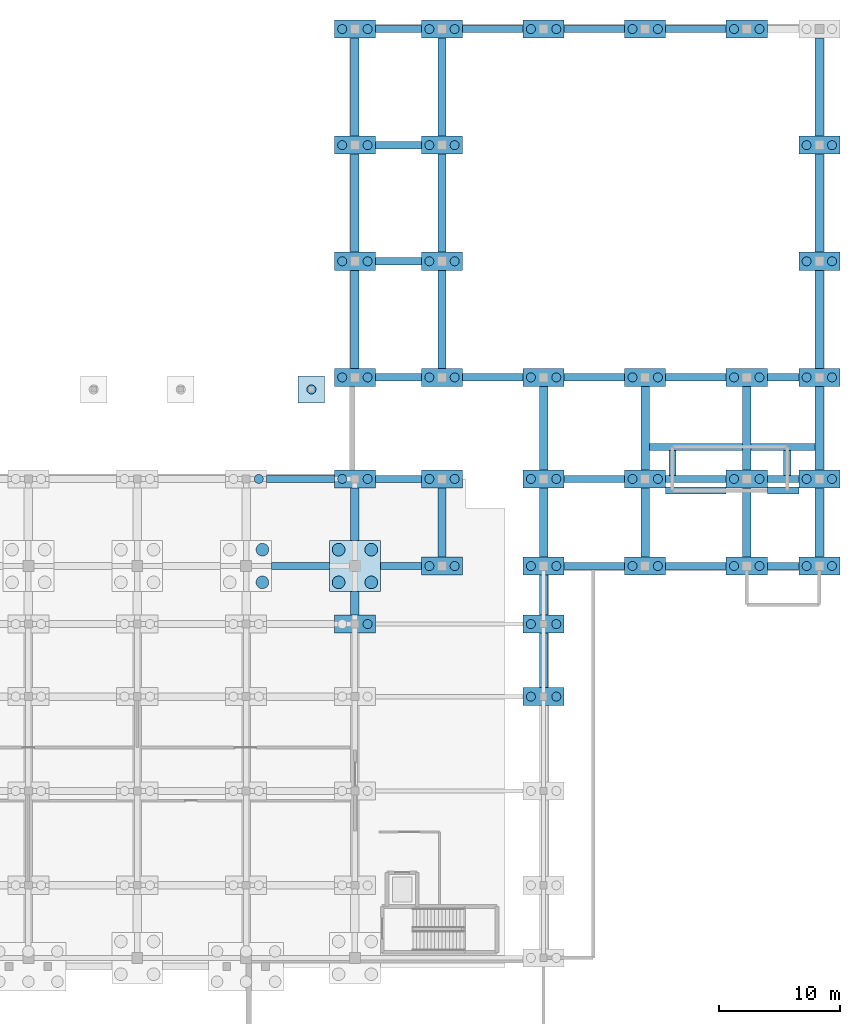
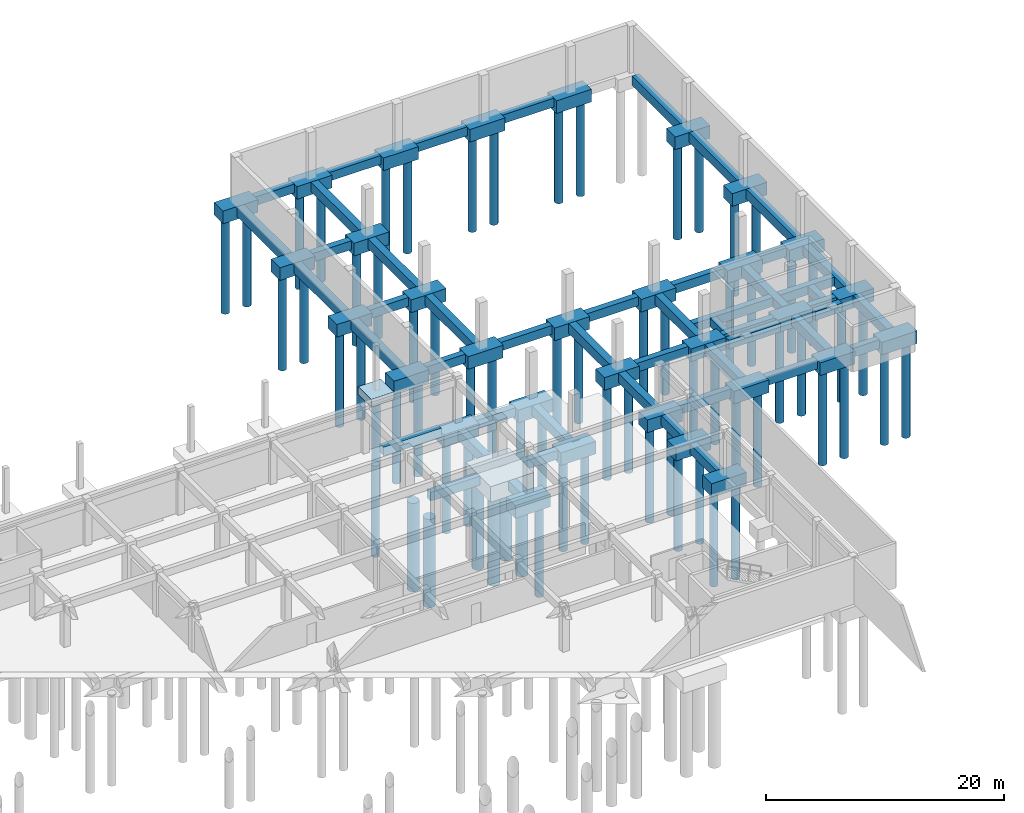
# One storey, part 8 of 26: 82 footings, 69 piles.
"""IFC4 building model written with IfcOpenShell, lengths in metres."""

import ifcopenshell
import ifcopenshell.guid

model = None  # the IFC model being written
_history = None  # IfcOwnerHistory: only IFC2X3 demands one
_inside = {}  # id of a spatial element -> (the spatial element, [elements in it])
_under = {}  # id of a project, library or spatial element -> (it, [spatial elements below it])
_declared = {}  # id of a project -> (the project, [libraries it declares])
_typed = {}  # id of a type object -> (the type object, [elements of that type])
_made_of = {}  # id of a material, layer set ... -> (it, [elements and type objects made of it])


def new_model(schema):
    """Start an empty IFC model of exactly this schema.

    Asked for "IFC4X3", IfcOpenShell would pick the latest addendum, in which some entities
    have other attributes; the version numbers below select the first issue.
    IFC2X3 requires an IfcOwnerHistory on every rooted entity: one is made here for all.
    """
    global model, _history
    if schema == "IFC4X3":
        model = ifcopenshell.file(schema_version=(4, 3, 0, 0))
    else:
        model = ifcopenshell.file(schema=schema)
    _inside.clear()
    _under.clear()
    _declared.clear()
    _typed.clear()
    _made_of.clear()
    _history = None
    if model.schema == "IFC2X3":
        org = make("IfcOrganization", Name="unknown")
        user = make(
            "IfcPersonAndOrganization",
            ThePerson=make("IfcPerson", FamilyName="unknown"),
            TheOrganization=org,
        )
        app = make(
            "IfcApplication",
            ApplicationDeveloper=org,
            Version="unknown",
            ApplicationFullName="unknown",
            ApplicationIdentifier="unknown",
        )
        _history = make(
            "IfcOwnerHistory",
            OwningUser=user,
            OwningApplication=app,
            ChangeAction="ADDED",
            CreationDate=0,
        )
    return model


def make(cls, **values):
    """One entity of the class cls with the attributes given. An attribute that is None is left unset."""
    return model.create_entity(
        cls, **{name: value for name, value in values.items() if value is not None}
    )


def rooted(cls, **values):
    """An entity with a GlobalId (a new one), such as an element, a storey or a relation."""
    return make(cls, GlobalId=ifcopenshell.guid.new(), OwnerHistory=_history, **values)


def si_unit(unit_type, name, prefix=None):
    """IfcSIUnit, for example si_unit("LENGTHUNIT", "METRE", prefix="MILLI")."""
    return make("IfcSIUnit", UnitType=unit_type, Prefix=prefix, Name=name)


def assignment(units):
    """IfcUnitAssignment: the units of a project."""
    return None if units is None else make("IfcUnitAssignment", Units=units)


def point(xyz):
    """IfcCartesianPoint."""
    return None if xyz is None else make("IfcCartesianPoint", Coordinates=xyz)


def direction(xyz):
    """IfcDirection."""
    return None if xyz is None else make("IfcDirection", DirectionRatios=xyz)


def frame(location, z_axis=None, x_axis=None):
    """IfcAxis2Placement3D, a coordinate frame: its origin and axes. An axis left out is left unset."""
    return make(
        "IfcAxis2Placement3D",
        Location=point(location),
        Axis=direction(z_axis),
        RefDirection=direction(x_axis),
    )


def frame_2d(location, x_axis=None):
    """IfcAxis2Placement2D, a coordinate frame in the plane: its origin and x axis."""
    return make(
        "IfcAxis2Placement2D", Location=point(location), RefDirection=direction(x_axis)
    )


def origin():
    """The frame at (0, 0, 0) with its axes left unset."""
    return frame((0.0, 0.0, 0.0))


def origin_2d():
    """The frame at (0, 0) in the plane with its x axis left unset."""
    return frame_2d((0.0, 0.0))


def place(relative_to, where):
    """IfcLocalPlacement: puts the frame where relative to a parent placement (None: the world)."""
    return make(
        "IfcLocalPlacement", PlacementRelTo=relative_to, RelativePlacement=where
    )


def context(
    kind, dimensions, precision=None, world=None, true_north=None, identifier=None
):
    """IfcGeometricRepresentationContext, for example the 3D "Model" context."""
    return make(
        "IfcGeometricRepresentationContext",
        ContextIdentifier=identifier,
        ContextType=kind,
        CoordinateSpaceDimension=dimensions,
        Precision=precision,
        WorldCoordinateSystem=world,
        TrueNorth=true_north,
    )


def subcontext(parent, identifier, kind, view, scale=None):
    """IfcGeometricRepresentationSubContext, for example "Body" below "Model"."""
    return make(
        "IfcGeometricRepresentationSubContext",
        ContextIdentifier=identifier,
        ContextType=kind,
        ParentContext=parent,
        TargetScale=scale,
        TargetView=view,
    )


def project(units=None, contexts=None):
    """IfcProject with its units and contexts."""
    return rooted(
        "IfcProject",
        Name="project",
        RepresentationContexts=contexts,
        UnitsInContext=assignment(units),
    )


def spatial(cls, under=None, at=None, **own):
    """A site, building, storey or space (cls), placed at a placement, below another one or the project."""
    s = rooted(cls, ObjectPlacement=at, **own)
    if under is not None:
        _under.setdefault(under.id(), (under, []))[1].append(s)
    return s


def profile(cls, at=None, kind="AREA", **sizes):
    """A parametric profile (cls). Its sizes go by their IFC names, for example OverallWidth=200.0."""
    return make(cls, ProfileType=kind, Position=at, **sizes)


def rectangle(**sizes):
    """IfcRectangleProfileDef."""
    return profile("IfcRectangleProfileDef", **sizes)


def circle(**sizes):
    """IfcCircleProfileDef."""
    return profile("IfcCircleProfileDef", **sizes)


def extrude(swept, where, along, depth):
    """IfcExtrudedAreaSolid: the profile swept, set in the frame where, extruded along a direction by depth."""
    return make(
        "IfcExtrudedAreaSolid",
        SweptArea=swept,
        Position=where,
        ExtrudedDirection=direction(along),
        Depth=depth,
    )


def shape(context_of_items, identifier, shape_type, items):
    """IfcShapeRepresentation: the items that make up one representation, for example the "Body"."""
    return make(
        "IfcShapeRepresentation",
        ContextOfItems=context_of_items,
        RepresentationIdentifier=identifier,
        RepresentationType=shape_type,
        Items=items,
    )


def material(Name=None, Category=None):
    """IfcMaterial."""
    return make("IfcMaterial", Name=Name, Category=Category)


def material_profile(
    of_material, cross_section, Name=None, Category=None, Priority=None
):
    """IfcMaterialProfile: a cross section and its material."""
    return make(
        "IfcMaterialProfile",
        Name=Name,
        Material=of_material,
        Profile=cross_section,
        Priority=Priority,
        Category=Category,
    )


def profile_set(profiles, Name=None, composite=None):
    """IfcMaterialProfileSet."""
    return make(
        "IfcMaterialProfileSet",
        Name=Name,
        MaterialProfiles=profiles,
        CompositeProfile=composite,
    )


def made_of(thing, what):
    """Note that an element or type object is made of a material, layer set ...; save() writes the relation."""
    if what is not None:
        _made_of.setdefault(what.id(), (what, []))[1].append(thing)
    return thing


def type_object(cls, material=None, **own):
    """A type object (cls), such as IfcWallType, which elements share."""
    return made_of(rooted(cls, **own), material)


def element(
    cls,
    number,
    at=None,
    inside=None,
    cuts=None,
    type_object=None,
    material=None,
    context=None,
    identifier="Body",
    shape_type=None,
    held_by="IfcProductDefinitionShape",
    body=None,
    shapes=None,
    **own,
):
    """One element of the class cls, such as IfcWall. Its Tag is "e" and its number.

    at: its placement. inside: the storey or other place that contains it. cuts: it is an
    opening in that element (IfcRelVoidsElement). A single representation is given by context,
    identifier, shape_type and body (its items); several are given by shapes. held_by: the class
    of the entity that holds the representations. save() writes the other relations.
    """
    e = rooted(cls, Tag="e%d" % number, ObjectPlacement=at, **own)
    if body is not None:
        shapes = [shape(context, identifier, shape_type, body)]
    if shapes is not None:
        e.Representation = make(held_by, Representations=shapes)
    if inside is not None:
        _inside.setdefault(inside.id(), (inside, []))[1].append(e)
    if cuts is not None:
        rooted(
            "IfcRelVoidsElement", RelatingBuildingElement=cuts, RelatedOpeningElement=e
        )
    if type_object is not None:
        _typed.setdefault(type_object.id(), (type_object, []))[1].append(e)
    return made_of(e, material)


def aggregate(whole, parts):
    """IfcRelAggregates: a whole, such as a stair, and the parts it consists of."""
    return rooted("IfcRelAggregates", RelatingObject=whole, RelatedObjects=parts)


def save(model, path):
    """Write the relations noted so far, then the file.

    IfcRelAggregates (storeys below a building ...), IfcRelContainedInSpatialStructure (elements
    in a storey), IfcRelDefinesByType, IfcRelAssociatesMaterial and IfcRelDeclares: one each for
    every whole, place, type object, material and project.
    """
    for whole, parts in _under.values():
        aggregate(whole, parts)
    for where, things in _inside.values():
        rooted(
            "IfcRelContainedInSpatialStructure",
            RelatedElements=things,
            RelatingStructure=where,
        )
    for kind, things in _typed.values():
        rooted("IfcRelDefinesByType", RelatedObjects=things, RelatingType=kind)
    for what, things in _made_of.values():
        rooted("IfcRelAssociatesMaterial", RelatedObjects=things, RelatingMaterial=what)
    for by, libraries in _declared.values():
        rooted("IfcRelDeclares", RelatingContext=by, RelatedDefinitions=libraries)
    model.write(path)


model = new_model("IFC4")

# Units and contexts
model_context = context("Model", 3, precision=1e-05, world=origin(), true_north=direction((0.0, 1.0)))
body_context = subcontext(model_context, "Body", "Model", "MODEL_VIEW")
ifc_project = project(units=[si_unit("LENGTHUNIT", "METRE"), si_unit("AREAUNIT", "SQUARE_METRE"), si_unit("VOLUMEUNIT", "CUBIC_METRE"), si_unit("PLANEANGLEUNIT", "RADIAN"), si_unit("MASSUNIT", "GRAM", prefix="KILO")], contexts=[model_context])

# Site, building, storey
site_placement = place(None, origin())
site = spatial("IfcSite", under=ifc_project, at=site_placement, CompositionType="ELEMENT")
building_placement = place(site_placement, origin())
building = spatial("IfcBuilding", under=site, at=building_placement, Name="Tizgana Railside Sports Hall", CompositionType="ELEMENT")
storey_placement = place(building_placement, frame((0.0, 0.0, -4.800048828125)))
storey = spatial("IfcBuildingStorey", under=building, at=storey_placement, Name="B1", CompositionType="ELEMENT", Elevation=-4.800048828125)

# Piles
ifc_material = material(Name="Concrete C35/45", Category="concrete")
ifc_material_profile_1 = material_profile(ifc_material, circle(Radius=0.52490234375, at=origin_2d()), Name="PILE D1050")
ifc_profile_set_1 = profile_set([ifc_material_profile_1], Name="Concrete C35/45")
pile_type_1 = type_object("IfcPileType", Name="Bored Pile D1050", PredefinedType="BORED", material=ifc_profile_set_1)
for number, where, z_axis, x_axis, name in (
    (1, (126.14990234375, 71.85009765625, -1.919921875), (0.0, 0.0, -1.0), (1.0, 0.0, 0.0), "B1 PIL-0462"),
    (2, (126.14990234375, 74.550048828125, -1.919921875), (0.0, 0.0, -1.0), (1.0, 0.0, 0.0), "B1 PIL-0464"),
    (3, (132.449951171875, 71.85009765625, -1.919921875), (0.0, 0.0, -1.0), (1.0, 0.0, 0.0), "B1 PIL-0479"),
    (4, (135.14990234375, 71.85009765625, -1.919921875), (0.0, 0.0, -1.0), (1.0, 0.0, 0.0), "B1 PIL-0480"),
    (5, (132.449951171875, 74.550048828125, -1.919921875), (0.0, 0.0, -1.0), (1.0, 0.0, 0.0), "B1 PIL-0481"),
    (6, (135.14990234375, 74.550048828125, -1.919921875), (0.0, 0.0, -1.0), (1.0, 0.0, 0.0), "B1 PIL-0482"),
):
    element("IfcPile", number, at=place(storey_placement, frame(where, z_axis=z_axis, x_axis=x_axis)), inside=storey, type_object=pile_type_1, Name=name, PredefinedType="BORED", context=body_context, shape_type="SweptSolid", body=[
        extrude(circle(Radius=0.52490234375, at=origin_2d()), origin(), (0.0, 0.0, 1.0), 9.080078125),
    ])
ifc_material_profile_2 = material_profile(ifc_material, circle(Radius=0.375, at=origin_2d()), Name="PILE D750")
ifc_profile_set_2 = profile_set([ifc_material_profile_2], Name="Concrete C35/45")
pile_type_2 = type_object("IfcPileType", Name="Bored Pile D750", PredefinedType="BORED", material=ifc_profile_set_2)
for number, where, z_axis, x_axis, name in (
    (7, (125.85009765625, 80.39990234375, -1.619873046875), (0.0, 0.0, -1.0), (1.0, 0.0, 0.0), "B1 PIL-0466"),
    (8, (134.85009765625, 68.39990234375, -1.619873046875), (0.0, 0.0, -1.0), (1.0, 0.0, 0.0), "B1 PIL-0478"),
    (9, (132.75, 80.39990234375, -1.619873046875), (0.0, 0.0, -1.0), (1.0, 0.0, 0.0), "B1 PIL-0483"),
    (10, (134.85009765625, 80.39990234375, -1.619873046875), (0.0, 0.0, -1.0), (1.0, 0.0, 0.0), "B1 PIL-0484"),
):
    element("IfcPile", number, at=place(storey_placement, frame(where, z_axis=z_axis, x_axis=x_axis)), inside=storey, type_object=pile_type_2, Name=name, PredefinedType="BORED", context=body_context, shape_type="SweptSolid", body=[
        extrude(circle(Radius=0.375, at=origin_2d()), origin(), (0.0, 0.0, 1.0), 9.3798828125),
    ])
for number, where, z_axis, x_axis, name in (
    (11, (132.75, 88.800048828125, -1.199951171875), (0.0, 0.0, -1.0), (1.0, 0.0, 0.0), "B1 PIL-0485"),
    (12, (134.85009765625, 88.800048828125, -1.199951171875), (0.0, 0.0, -1.0), (1.0, 0.0, 0.0), "B1 PIL-0486"),
    (13, (132.75, 98.39990234375, -1.199951171875), (0.0, 0.0, -1.0), (1.0, 0.0, 0.0), "B1 PIL-0487"),
    (14, (134.85009765625, 98.39990234375, -1.199951171875), (0.0, 0.0, -1.0), (1.0, 0.0, 0.0), "B1 PIL-0488"),
    (15, (132.75, 108.0, -1.199951171875), (0.0, 0.0, -1.0), (1.0, 0.0, 0.0), "B1 PIL-0489"),
    (16, (134.85009765625, 108.0, -1.199951171875), (0.0, 0.0, -1.0), (1.0, 0.0, 0.0), "B1 PIL-0490"),
    (17, (132.75, 117.60009765625, -1.199951171875), (0.0, 0.0, -1.0), (1.0, 0.0, 0.0), "B1 PIL-0491"),
    (18, (134.85009765625, 117.60009765625, -1.199951171875), (0.0, 0.0, -1.0), (1.0, 0.0, 0.0), "B1 PIL-0492"),
):
    element("IfcPile", number, at=place(storey_placement, frame(where, z_axis=z_axis, x_axis=x_axis)), inside=storey, type_object=pile_type_2, Name=name, PredefinedType="BORED", context=body_context, shape_type="SweptSolid", body=[
        extrude(circle(Radius=0.375, at=origin_2d()), origin(), (0.0, 0.0, 1.0), 9.800048828125),
    ])
for number, where, z_axis, x_axis, name in (
    (19, (139.949951171875, 73.199951171875, -1.619873046875), (0.0, 0.0, -1.0), (1.0, 0.0, 0.0), "B1 PIL-0493"),
    (20, (142.050048828125, 73.199951171875, -1.619873046875), (0.0, 0.0, -1.0), (1.0, 0.0, 0.0), "B1 PIL-0494"),
    (21, (139.949951171875, 80.39990234375, -1.619873046875), (0.0, 0.0, -1.0), (1.0, 0.0, 0.0), "B1 PIL-0495"),
    (22, (142.050048828125, 80.39990234375, -1.619873046875), (0.0, 0.0, -1.0), (1.0, 0.0, 0.0), "B1 PIL-0496"),
):
    element("IfcPile", number, at=place(storey_placement, frame(where, z_axis=z_axis, x_axis=x_axis)), inside=storey, type_object=pile_type_2, Name=name, PredefinedType="BORED", context=body_context, shape_type="SweptSolid", body=[
        extrude(circle(Radius=0.375, at=origin_2d()), origin(), (0.0, 0.0, 1.0), 9.3798828125),
    ])
for number, where, z_axis, x_axis, name in (
    (23, (139.949951171875, 88.800048828125, -1.199951171875), (0.0, 0.0, -1.0), (1.0, 0.0, 0.0), "B1 PIL-0497"),
    (24, (142.050048828125, 88.800048828125, -1.199951171875), (0.0, 0.0, -1.0), (1.0, 0.0, 0.0), "B1 PIL-0498"),
    (25, (139.949951171875, 98.39990234375, -1.199951171875), (0.0, 0.0, -1.0), (1.0, 0.0, 0.0), "B1 PIL-0499"),
    (26, (142.050048828125, 98.39990234375, -1.199951171875), (0.0, 0.0, -1.0), (1.0, 0.0, 0.0), "B1 PIL-0500"),
    (27, (139.949951171875, 108.0, -1.199951171875), (0.0, 0.0, -1.0), (1.0, 0.0, 0.0), "B1 PIL-0501"),
    (28, (142.050048828125, 108.0, -1.199951171875), (0.0, 0.0, -1.0), (1.0, 0.0, 0.0), "B1 PIL-0502"),
    (29, (139.949951171875, 117.60009765625, -1.199951171875), (0.0, 0.0, -1.0), (1.0, 0.0, 0.0), "B1 PIL-0503"),
    (30, (142.050048828125, 117.60009765625, -1.199951171875), (0.0, 0.0, -1.0), (1.0, 0.0, 0.0), "B1 PIL-0504"),
    (31, (148.35009765625, 62.39990234375, -1.199951171875), (0.0, 0.0, -1.0), (1.0, 0.0, 0.0), "B1 PIL-0511"),
    (32, (150.449951171875, 62.39990234375, -1.199951171875), (0.0, 0.0, -1.0), (1.0, 0.0, 0.0), "B1 PIL-0512"),
    (33, (148.35009765625, 68.39990234375, -1.199951171875), (0.0, 0.0, -1.0), (1.0, 0.0, 0.0), "B1 PIL-0513"),
    (34, (150.449951171875, 68.39990234375, -1.199951171875), (0.0, 0.0, -1.0), (1.0, 0.0, 0.0), "B1 PIL-0514"),
    (35, (148.35009765625, 73.199951171875, -1.199951171875), (0.0, 0.0, -1.0), (1.0, 0.0, 0.0), "B1 PIL-0515"),
    (36, (150.449951171875, 73.199951171875, -1.199951171875), (0.0, 0.0, -1.0), (1.0, 0.0, 0.0), "B1 PIL-0516"),
    (37, (148.35009765625, 80.39990234375, -1.199951171875), (0.0, 0.0, -1.0), (1.0, 0.0, 0.0), "B1 PIL-0517"),
    (38, (150.449951171875, 80.39990234375, -1.199951171875), (0.0, 0.0, -1.0), (1.0, 0.0, 0.0), "B1 PIL-0518"),
    (39, (148.35009765625, 88.800048828125, -1.199951171875), (0.0, 0.0, -1.0), (1.0, 0.0, 0.0), "B1 PIL-0519"),
    (40, (150.449951171875, 88.800048828125, -1.199951171875), (0.0, 0.0, -1.0), (1.0, 0.0, 0.0), "B1 PIL-0520"),
    (41, (148.35009765625, 117.60009765625, -1.199951171875), (0.0, 0.0, -1.0), (1.0, 0.0, 0.0), "B1 PIL-0521"),
    (42, (150.449951171875, 117.60009765625, -1.199951171875), (0.0, 0.0, -1.0), (1.0, 0.0, 0.0), "B1 PIL-0522"),
    (43, (156.75, 73.199951171875, -1.199951171875), (0.0, 0.0, -1.0), (1.0, 0.0, 0.0), "B1 PIL-0523"),
    (44, (158.85009765625, 73.199951171875, -1.199951171875), (0.0, 0.0, -1.0), (1.0, 0.0, 0.0), "B1 PIL-0524"),
    (45, (156.75, 80.39990234375, -1.199951171875), (0.0, 0.0, -1.0), (1.0, 0.0, 0.0), "B1 PIL-0525"),
    (46, (158.85009765625, 80.39990234375, -1.199951171875), (0.0, 0.0, -1.0), (1.0, 0.0, 0.0), "B1 PIL-0526"),
    (47, (156.75, 88.800048828125, -1.199951171875), (0.0, 0.0, -1.0), (1.0, 0.0, 0.0), "B1 PIL-0527"),
    (48, (158.85009765625, 88.800048828125, -1.199951171875), (0.0, 0.0, -1.0), (1.0, 0.0, 0.0), "B1 PIL-0528"),
    (49, (156.75, 117.60009765625, -1.199951171875), (0.0, 0.0, -1.0), (1.0, 0.0, 0.0), "B1 PIL-0529"),
    (50, (158.85009765625, 117.60009765625, -1.199951171875), (0.0, 0.0, -1.0), (1.0, 0.0, 0.0), "B1 PIL-0530"),
    (51, (165.14990234375, 73.199951171875, -1.199951171875), (0.0, 0.0, -1.0), (1.0, 0.0, 0.0), "B1 PIL-0531"),
    (52, (167.25, 73.199951171875, -1.199951171875), (0.0, 0.0, -1.0), (1.0, 0.0, 0.0), "B1 PIL-0532"),
    (53, (165.14990234375, 80.39990234375, -1.199951171875), (0.0, 0.0, -1.0), (1.0, 0.0, 0.0), "B1 PIL-0533"),
    (54, (167.25, 80.39990234375, -1.199951171875), (0.0, 0.0, -1.0), (1.0, 0.0, 0.0), "B1 PIL-0534"),
    (55, (165.14990234375, 88.800048828125, -1.199951171875), (0.0, 0.0, -1.0), (1.0, 0.0, 0.0), "B1 PIL-0535"),
    (56, (167.25, 88.800048828125, -1.199951171875), (0.0, 0.0, -1.0), (1.0, 0.0, 0.0), "B1 PIL-0536"),
    (57, (165.14990234375, 117.60009765625, -1.199951171875), (0.0, 0.0, -1.0), (1.0, 0.0, 0.0), "B1 PIL-0537"),
    (58, (167.25, 117.60009765625, -1.199951171875), (0.0, 0.0, -1.0), (1.0, 0.0, 0.0), "B1 PIL-0538"),
    (59, (171.14990234375, 73.199951171875, -1.199951171875), (0.0, 0.0, -1.0), (1.0, 0.0, 0.0), "B1 PIL-0539"),
    (60, (173.25, 73.199951171875, -1.199951171875), (0.0, 0.0, -1.0), (1.0, 0.0, 0.0), "B1 PIL-0540"),
    (61, (171.14990234375, 80.39990234375, -1.199951171875), (0.0, 0.0, -1.0), (1.0, 0.0, 0.0), "B1 PIL-0541"),
    (62, (173.25, 80.39990234375, -1.199951171875), (0.0, 0.0, -1.0), (1.0, 0.0, 0.0), "B1 PIL-0542"),
    (63, (171.14990234375, 88.800048828125, -1.199951171875), (0.0, 0.0, -1.0), (1.0, 0.0, 0.0), "B1 PIL-0543"),
    (64, (173.25, 88.800048828125, -1.199951171875), (0.0, 0.0, -1.0), (1.0, 0.0, 0.0), "B1 PIL-0544"),
    (65, (171.14990234375, 98.39990234375, -1.199951171875), (0.0, 0.0, -1.0), (1.0, 0.0, 0.0), "B1 PIL-0545"),
    (66, (173.25, 98.39990234375, -1.199951171875), (0.0, 0.0, -1.0), (1.0, 0.0, 0.0), "B1 PIL-0546"),
    (67, (171.14990234375, 108.0, -1.199951171875), (0.0, 0.0, -1.0), (1.0, 0.0, 0.0), "B1 PIL-0547"),
    (68, (173.25, 108.0, -1.199951171875), (0.0, 0.0, -1.0), (1.0, 0.0, 0.0), "B1 PIL-0548"),
):
    element("IfcPile", number, at=place(storey_placement, frame(where, z_axis=z_axis, x_axis=x_axis)), inside=storey, type_object=pile_type_2, Name=name, PredefinedType="BORED", context=body_context, shape_type="SweptSolid", body=[
        extrude(circle(Radius=0.375, at=origin_2d()), origin(), (0.0, 0.0, 1.0), 9.800048828125),
    ])
pile_placement = place(storey_placement, frame((130.199951171875, 87.800048828125, -0.699951171875), z_axis=(0.0, 0.0, -1.0), x_axis=(1.0, 0.0, 0.0)))
element("IfcPile", 69, at=pile_placement, inside=storey, type_object=pile_type_2, Name="B1 Promenade Pile", PredefinedType="BORED", context=body_context, shape_type="SweptSolid", body=[
    extrude(circle(Radius=0.375, at=origin_2d()), origin(), (0.0, 0.0, 1.0), 10.300048828125),
])

# Footings
footing_type_1 = type_object("IfcFootingType", Name="Canopy Pad Footing 2200x2200x800", PredefinedType="PAD_FOOTING", material=ifc_material)
footing_1_placement = place(storey_placement, frame((130.199951171875, 87.800048828125, -0.7998046875), z_axis=(0.0, 0.0, 1.0), x_axis=(1.0, 0.0, 0.0)))
element("IfcFooting", 70, at=footing_1_placement, inside=storey, type_object=footing_type_1, Name="B1 Promenade Pier Footing", PredefinedType="PAD_FOOTING", context=body_context, shape_type="SweptSolid", body=[
    extrude(rectangle(XDim=2.199951171875, YDim=2.199951171875, at=origin_2d()), origin(), (0.0, 0.0, 1.0), 0.800048828125),
])
footing_type_2 = type_object("IfcFootingType", Name="Ground Tie Beam 600x900", PredefinedType="FOOTING_BEAM", material=ifc_material)
footing_2_placement = place(storey_placement, frame((129.300048828125, 73.199951171875, -1.31982421875), z_axis=(0.0, 0.0, 1.0), x_axis=(1.0, 0.0, 0.0)))
element("IfcFooting", 71, at=footing_2_placement, inside=storey, type_object=footing_type_2, Name="B1 FTG-0392", PredefinedType="FOOTING_BEAM", context=body_context, shape_type="SweptSolid", body=[
    extrude(rectangle(XDim=4.803955078125, YDim=0.60009765625, at=origin_2d()), origin(), (0.0, 0.0, 1.0), 0.89990234375),
])
footing_3_placement = place(storey_placement, frame((137.60009765625, 73.199951171875, -1.31982421875), z_axis=(0.0, 0.0, 1.0), x_axis=(1.0, 0.0, 0.0)))
element("IfcFooting", 72, at=footing_3_placement, inside=storey, type_object=footing_type_2, Name="B1 FTG-0393", PredefinedType="FOOTING_BEAM", context=body_context, shape_type="SweptSolid", body=[
    extrude(rectangle(XDim=3.404052734375, YDim=0.60009765625, at=origin_2d()), origin(), (0.0, 0.0, 1.0), 0.89990234375),
])
for number, where, z_axis, x_axis, name in (
    (73, (153.60009765625, 73.199951171875, -0.89990234375), (0.0, 0.0, 1.0), (1.0, 0.0, 0.0), "B1 FTG-0394"),
    (74, (162.0, 73.199951171875, -0.89990234375), (0.0, 0.0, 1.0), (1.0, 0.0, 0.0), "B1 FTG-0395"),
):
    element("IfcFooting", number, at=place(storey_placement, frame(where, z_axis=z_axis, x_axis=x_axis)), inside=storey, type_object=footing_type_2, Name=name, PredefinedType="FOOTING_BEAM", context=body_context, shape_type="SweptSolid", body=[
        extrude(rectangle(XDim=5.00390625, YDim=0.60009765625, at=origin_2d()), origin(), (0.0, 0.0, 1.0), 0.89990234375),
    ])
footing_4_placement = place(storey_placement, frame((169.199951171875, 73.199951171875, -0.89990234375), z_axis=(0.0, 0.0, 1.0), x_axis=(1.0, 0.0, 0.0)))
element("IfcFooting", 75, at=footing_4_placement, inside=storey, type_object=footing_type_2, Name="B1 FTG-0396", PredefinedType="FOOTING_BEAM", context=body_context, shape_type="SweptSolid", body=[
    extrude(rectangle(XDim=2.60400390625, YDim=0.60009765625, at=origin_2d()), origin(), (0.0, 0.0, 1.0), 0.89990234375),
])
footing_5_placement = place(storey_placement, frame((129.300048828125, 80.39990234375, -0.89990234375), z_axis=(0.0, 0.0, 1.0), x_axis=(1.0, 0.0, 0.0)))
element("IfcFooting", 76, at=footing_5_placement, inside=storey, type_object=footing_type_2, Name="B1 FTG-0417", PredefinedType="FOOTING_BEAM", context=body_context, shape_type="SweptSolid", body=[
    extrude(rectangle(XDim=5.60400390625, YDim=0.60009765625, at=origin_2d()), origin(), (0.0, 0.0, 1.0), 0.89990234375),
])
footing_6_placement = place(storey_placement, frame((137.39990234375, 80.39990234375, -1.31982421875), z_axis=(0.0, 0.0, 1.0), x_axis=(1.0, 0.0, 0.0)))
element("IfcFooting", 77, at=footing_6_placement, inside=storey, type_object=footing_type_2, Name="B1 FTG-0418", PredefinedType="FOOTING_BEAM", context=body_context, shape_type="SweptSolid", body=[
    extrude(rectangle(XDim=3.803955078125, YDim=0.60009765625, at=origin_2d()), origin(), (0.0, 0.0, 1.0), 0.89990234375),
])
for number, where, z_axis, x_axis, name in (
    (78, (153.60009765625, 80.39990234375, -0.89990234375), (0.0, 0.0, 1.0), (1.0, 0.0, 0.0), "B1 FTG-0419"),
    (79, (162.0, 80.39990234375, -0.89990234375), (0.0, 0.0, 1.0), (1.0, 0.0, 0.0), "B1 FTG-0420"),
):
    element("IfcFooting", number, at=place(storey_placement, frame(where, z_axis=z_axis, x_axis=x_axis)), inside=storey, type_object=footing_type_2, Name=name, PredefinedType="FOOTING_BEAM", context=body_context, shape_type="SweptSolid", body=[
        extrude(rectangle(XDim=5.00390625, YDim=0.60009765625, at=origin_2d()), origin(), (0.0, 0.0, 1.0), 0.89990234375),
    ])
footing_7_placement = place(storey_placement, frame((169.199951171875, 80.39990234375, -0.89990234375), z_axis=(0.0, 0.0, 1.0), x_axis=(1.0, 0.0, 0.0)))
element("IfcFooting", 80, at=footing_7_placement, inside=storey, type_object=footing_type_2, Name="B1 FTG-0421", PredefinedType="FOOTING_BEAM", context=body_context, shape_type="SweptSolid", body=[
    extrude(rectangle(XDim=2.60400390625, YDim=0.60009765625, at=origin_2d()), origin(), (0.0, 0.0, 1.0), 0.89990234375),
])
footing_8_placement = place(storey_placement, frame((137.39990234375, 88.800048828125, -0.89990234375), z_axis=(0.0, 0.0, 1.0), x_axis=(1.0, 0.0, 0.0)))
element("IfcFooting", 81, at=footing_8_placement, inside=storey, type_object=footing_type_2, Name="B1 FTG-0428", PredefinedType="FOOTING_BEAM", context=body_context, shape_type="SweptSolid", body=[
    extrude(rectangle(XDim=3.803955078125, YDim=0.60009765625, at=origin_2d()), origin(), (0.0, 0.0, 1.0), 0.89990234375),
])
for number, where, z_axis, x_axis, name in (
    (82, (145.199951171875, 88.800048828125, -0.89990234375), (0.0, 0.0, 1.0), (1.0, 0.0, 0.0), "B1 FTG-0429"),
    (83, (153.60009765625, 88.800048828125, -0.89990234375), (0.0, 0.0, 1.0), (1.0, 0.0, 0.0), "B1 FTG-0430"),
    (84, (162.0, 88.800048828125, -0.89990234375), (0.0, 0.0, 1.0), (1.0, 0.0, 0.0), "B1 FTG-0431"),
):
    element("IfcFooting", number, at=place(storey_placement, frame(where, z_axis=z_axis, x_axis=x_axis)), inside=storey, type_object=footing_type_2, Name=name, PredefinedType="FOOTING_BEAM", context=body_context, shape_type="SweptSolid", body=[
        extrude(rectangle(XDim=5.00390625, YDim=0.60009765625, at=origin_2d()), origin(), (0.0, 0.0, 1.0), 0.89990234375),
    ])
footing_9_placement = place(storey_placement, frame((169.199951171875, 88.800048828125, -0.89990234375), z_axis=(0.0, 0.0, 1.0), x_axis=(1.0, 0.0, 0.0)))
element("IfcFooting", 85, at=footing_9_placement, inside=storey, type_object=footing_type_2, Name="B1 FTG-0432", PredefinedType="FOOTING_BEAM", context=body_context, shape_type="SweptSolid", body=[
    extrude(rectangle(XDim=2.60400390625, YDim=0.60009765625, at=origin_2d()), origin(), (0.0, 0.0, 1.0), 0.89990234375),
])
for number, where, z_axis, x_axis, name in (
    (86, (137.39990234375, 98.39990234375, -0.89990234375), (0.0, 0.0, 1.0), (1.0, 0.0, 0.0), "B1 FTG-0436"),
    (87, (137.39990234375, 108.0, -0.89990234375), (0.0, 0.0, 1.0), (1.0, 0.0, 0.0), "B1 FTG-0437"),
    (88, (137.39990234375, 117.60009765625, -0.89990234375), (0.0, 0.0, 1.0), (1.0, 0.0, 0.0), "B1 FTG-0438"),
):
    element("IfcFooting", number, at=place(storey_placement, frame(where, z_axis=z_axis, x_axis=x_axis)), inside=storey, type_object=footing_type_2, Name=name, PredefinedType="FOOTING_BEAM", context=body_context, shape_type="SweptSolid", body=[
        extrude(rectangle(XDim=3.803955078125, YDim=0.60009765625, at=origin_2d()), origin(), (0.0, 0.0, 1.0), 0.89990234375),
    ])
for number, where, z_axis, x_axis, name in (
    (89, (145.199951171875, 117.60009765625, -0.89990234375), (0.0, 0.0, 1.0), (1.0, 0.0, 0.0), "B1 FTG-0439"),
    (90, (153.60009765625, 117.60009765625, -0.89990234375), (0.0, 0.0, 1.0), (1.0, 0.0, 0.0), "B1 FTG-0440"),
    (91, (162.0, 117.60009765625, -0.89990234375), (0.0, 0.0, 1.0), (1.0, 0.0, 0.0), "B1 FTG-0441"),
    (92, (162.0, 79.449951171875, -0.89990234375), (0.0, 0.0, 1.0), (1.0, 0.0, 0.0), "B1 FTG-0641"),
):
    element("IfcFooting", number, at=place(storey_placement, frame(where, z_axis=z_axis, x_axis=x_axis)), inside=storey, type_object=footing_type_2, Name=name, PredefinedType="FOOTING_BEAM", context=body_context, shape_type="SweptSolid", body=[
        extrude(rectangle(XDim=5.00390625, YDim=0.60009765625, at=origin_2d()), origin(), (0.0, 0.0, 1.0), 0.89990234375),
    ])
footing_10_placement = place(storey_placement, frame((169.199951171875, 79.449951171875, -0.89990234375), z_axis=(0.0, 0.0, 1.0), x_axis=(1.0, 0.0, 0.0)))
element("IfcFooting", 93, at=footing_10_placement, inside=storey, type_object=footing_type_2, Name="B1 FTG-0642", PredefinedType="FOOTING_BEAM", context=body_context, shape_type="SweptSolid", body=[
    extrude(rectangle(XDim=2.60400390625, YDim=0.60009765625, at=origin_2d()), origin(), (0.0, 0.0, 1.0), 0.89990234375),
])
footing_11_placement = place(storey_placement, frame((162.0, 83.050048828125, -0.89990234375), z_axis=(0.0, 0.0, 1.0), x_axis=(1.0, 0.0, 0.0)))
element("IfcFooting", 94, at=footing_11_placement, inside=storey, type_object=footing_type_2, Name="B1 FTG-0643", PredefinedType="FOOTING_BEAM", context=body_context, shape_type="SweptSolid", body=[
    extrude(rectangle(XDim=7.7041015625, YDim=0.60009765625, at=origin_2d()), origin(), (0.0, 0.0, 1.0), 0.89990234375),
])
footing_12_placement = place(storey_placement, frame((169.199951171875, 83.050048828125, -0.89990234375), z_axis=(0.0, 0.0, 1.0), x_axis=(1.0, 0.0, 0.0)))
element("IfcFooting", 95, at=footing_12_placement, inside=storey, type_object=footing_type_2, Name="B1 FTG-0644", PredefinedType="FOOTING_BEAM", context=body_context, shape_type="SweptSolid", body=[
    extrude(rectangle(XDim=5.303955078125, YDim=0.60009765625, at=origin_2d()), origin(), (0.0, 0.0, 1.0), 0.89990234375),
])
for number, where, z_axis, x_axis, name in (
    (96, (160.050048828125, 81.72509765625, -0.89990234375), (0.0, 0.0, 1.0), (0.0, 1.0, 0.0), "B1 FTG-0653"),
    (97, (169.550048828125, 81.72509765625, -0.89990234375), (0.0, 0.0, 1.0), (0.0, 1.0, 0.0), "B1 FTG-0654"),
):
    element("IfcFooting", number, at=place(storey_placement, frame(where, z_axis=z_axis, x_axis=x_axis)), inside=storey, type_object=footing_type_2, Name=name, PredefinedType="FOOTING_BEAM", context=body_context, shape_type="SweptSolid", body=[
        extrude(rectangle(XDim=2.053955078125, YDim=0.60009765625, at=origin_2d()), origin(), (0.0, 0.0, 1.0), 0.89990234375),
    ])
footing_type_3 = type_object("IfcFootingType", Name="Heavy Four-Pile Cap 4200x4200x1600", PredefinedType="PILE_CAP", material=ifc_material)
footing_13_placement = place(storey_placement, frame((133.800048828125, 73.199951171875, -2.02001953125), z_axis=(0.0, 0.0, 1.0), x_axis=(1.0, 0.0, 0.0)))
element("IfcFooting", 98, at=footing_13_placement, inside=storey, type_object=footing_type_3, Name="B1 FTG-0200", PredefinedType="PILE_CAP", context=body_context, shape_type="SweptSolid", body=[
    extrude(rectangle(XDim=4.199951171875, YDim=4.199951171875, at=origin_2d()), origin(), (0.0, 0.0, 1.0), 1.60009765625),
])
footing_type_4 = type_object("IfcFootingType", Name="Perimeter Ground Beam 700x1000", PredefinedType="FOOTING_BEAM", material=ifc_material)
footing_14_placement = place(storey_placement, frame((133.800048828125, 70.125, -1.419921875), z_axis=(0.0, 0.0, 1.0), x_axis=(0.0, 1.0, 0.0)))
element("IfcFooting", 99, at=footing_14_placement, inside=storey, type_object=footing_type_4, Name="B1 FTG-0606", PredefinedType="FOOTING_BEAM", context=body_context, shape_type="SweptSolid", body=[
    extrude(rectangle(XDim=1.9541015625, YDim=0.699951171875, at=origin_2d()), origin(), (0.0, 0.0, 1.0), 1.0),
])
footing_15_placement = place(storey_placement, frame((133.800048828125, 77.47509765625, -1.419921875), z_axis=(0.0, 0.0, 1.0), x_axis=(0.0, 1.0, 0.0)))
element("IfcFooting", 100, at=footing_15_placement, inside=storey, type_object=footing_type_4, Name="B1 FTG-0607", PredefinedType="FOOTING_BEAM", context=body_context, shape_type="SweptSolid", body=[
    extrude(rectangle(XDim=4.35400390625, YDim=0.699951171875, at=origin_2d()), origin(), (0.0, 0.0, 1.0), 1.0),
])
for number, where, z_axis, x_axis, name in (
    (101, (133.800048828125, 93.60009765625, -1.0), (0.0, 0.0, 1.0), (0.0, 1.0, 0.0), "B1 FTG-0608"),
    (102, (133.800048828125, 103.199951171875, -1.0), (0.0, 0.0, 1.0), (0.0, 1.0, 0.0), "B1 FTG-0609"),
    (103, (133.800048828125, 112.800048828125, -1.0), (0.0, 0.0, 1.0), (0.0, 1.0, 0.0), "B1 FTG-0610"),
):
    element("IfcFooting", number, at=place(storey_placement, frame(where, z_axis=z_axis, x_axis=x_axis)), inside=storey, type_object=footing_type_4, Name=name, PredefinedType="FOOTING_BEAM", context=body_context, shape_type="SweptSolid", body=[
        extrude(rectangle(XDim=8.10400390625, YDim=0.699951171875, at=origin_2d()), origin(), (0.0, 0.0, 1.0), 1.0),
    ])
footing_16_placement = place(storey_placement, frame((141.0, 76.800048828125, -1.419921875), z_axis=(0.0, 0.0, 1.0), x_axis=(0.0, 1.0, 0.0)))
element("IfcFooting", 104, at=footing_16_placement, inside=storey, type_object=footing_type_4, Name="B1 FTG-0611", PredefinedType="FOOTING_BEAM", context=body_context, shape_type="SweptSolid", body=[
    extrude(rectangle(XDim=5.7041015625, YDim=0.699951171875, at=origin_2d()), origin(), (0.0, 0.0, 1.0), 1.0),
])
for number, where, z_axis, x_axis, name in (
    (105, (141.0, 93.60009765625, -1.0), (0.0, 0.0, 1.0), (0.0, 1.0, 0.0), "B1 FTG-0612"),
    (106, (141.0, 103.199951171875, -1.0), (0.0, 0.0, 1.0), (0.0, 1.0, 0.0), "B1 FTG-0613"),
    (107, (141.0, 112.800048828125, -1.0), (0.0, 0.0, 1.0), (0.0, 1.0, 0.0), "B1 FTG-0614"),
):
    element("IfcFooting", number, at=place(storey_placement, frame(where, z_axis=z_axis, x_axis=x_axis)), inside=storey, type_object=footing_type_4, Name=name, PredefinedType="FOOTING_BEAM", context=body_context, shape_type="SweptSolid", body=[
        extrude(rectangle(XDim=8.10400390625, YDim=0.699951171875, at=origin_2d()), origin(), (0.0, 0.0, 1.0), 1.0),
    ])
footing_17_placement = place(storey_placement, frame((149.39990234375, 65.39990234375, -1.0), z_axis=(0.0, 0.0, 1.0), x_axis=(0.0, 1.0, 0.0)))
element("IfcFooting", 108, at=footing_17_placement, inside=storey, type_object=footing_type_4, Name="B1 FTG-0618", PredefinedType="FOOTING_BEAM", context=body_context, shape_type="SweptSolid", body=[
    extrude(rectangle(XDim=4.50390625, YDim=0.699951171875, at=origin_2d()), origin(), (0.0, 0.0, 1.0), 1.0),
])
footing_18_placement = place(storey_placement, frame((149.39990234375, 70.800048828125, -1.0), z_axis=(0.0, 0.0, 1.0), x_axis=(0.0, 1.0, 0.0)))
element("IfcFooting", 109, at=footing_18_placement, inside=storey, type_object=footing_type_4, Name="B1 FTG-0619", PredefinedType="FOOTING_BEAM", context=body_context, shape_type="SweptSolid", body=[
    extrude(rectangle(XDim=3.303955078125, YDim=0.699951171875, at=origin_2d()), origin(), (0.0, 0.0, 1.0), 1.0),
])
footing_19_placement = place(storey_placement, frame((149.39990234375, 76.800048828125, -1.0), z_axis=(0.0, 0.0, 1.0), x_axis=(0.0, 1.0, 0.0)))
element("IfcFooting", 110, at=footing_19_placement, inside=storey, type_object=footing_type_4, Name="B1 FTG-0620", PredefinedType="FOOTING_BEAM", context=body_context, shape_type="SweptSolid", body=[
    extrude(rectangle(XDim=5.7041015625, YDim=0.699951171875, at=origin_2d()), origin(), (0.0, 0.0, 1.0), 1.0),
])
footing_20_placement = place(storey_placement, frame((149.39990234375, 84.60009765625, -1.0), z_axis=(0.0, 0.0, 1.0), x_axis=(0.0, 1.0, 0.0)))
element("IfcFooting", 111, at=footing_20_placement, inside=storey, type_object=footing_type_4, Name="B1 FTG-0621", PredefinedType="FOOTING_BEAM", context=body_context, shape_type="SweptSolid", body=[
    extrude(rectangle(XDim=6.904052734375, YDim=0.699951171875, at=origin_2d()), origin(), (0.0, 0.0, 1.0), 1.0),
])
footing_21_placement = place(storey_placement, frame((157.800048828125, 76.800048828125, -1.0), z_axis=(0.0, 0.0, 1.0), x_axis=(0.0, 1.0, 0.0)))
element("IfcFooting", 112, at=footing_21_placement, inside=storey, type_object=footing_type_4, Name="B1 FTG-0622", PredefinedType="FOOTING_BEAM", context=body_context, shape_type="SweptSolid", body=[
    extrude(rectangle(XDim=5.7041015625, YDim=0.699951171875, at=origin_2d()), origin(), (0.0, 0.0, 1.0), 1.0),
])
footing_22_placement = place(storey_placement, frame((157.800048828125, 84.60009765625, -1.0), z_axis=(0.0, 0.0, 1.0), x_axis=(0.0, 1.0, 0.0)))
element("IfcFooting", 113, at=footing_22_placement, inside=storey, type_object=footing_type_4, Name="B1 FTG-0623", PredefinedType="FOOTING_BEAM", context=body_context, shape_type="SweptSolid", body=[
    extrude(rectangle(XDim=6.904052734375, YDim=0.699951171875, at=origin_2d()), origin(), (0.0, 0.0, 1.0), 1.0),
])
footing_23_placement = place(storey_placement, frame((166.199951171875, 76.800048828125, -1.0), z_axis=(0.0, 0.0, 1.0), x_axis=(0.0, 1.0, 0.0)))
element("IfcFooting", 114, at=footing_23_placement, inside=storey, type_object=footing_type_4, Name="B1 FTG-0624", PredefinedType="FOOTING_BEAM", context=body_context, shape_type="SweptSolid", body=[
    extrude(rectangle(XDim=5.7041015625, YDim=0.699951171875, at=origin_2d()), origin(), (0.0, 0.0, 1.0), 1.0),
])
footing_24_placement = place(storey_placement, frame((166.199951171875, 84.60009765625, -1.0), z_axis=(0.0, 0.0, 1.0), x_axis=(0.0, 1.0, 0.0)))
element("IfcFooting", 115, at=footing_24_placement, inside=storey, type_object=footing_type_4, Name="B1 FTG-0625", PredefinedType="FOOTING_BEAM", context=body_context, shape_type="SweptSolid", body=[
    extrude(rectangle(XDim=6.904052734375, YDim=0.699951171875, at=origin_2d()), origin(), (0.0, 0.0, 1.0), 1.0),
])
footing_25_placement = place(storey_placement, frame((172.199951171875, 76.800048828125, -1.0), z_axis=(0.0, 0.0, 1.0), x_axis=(0.0, 1.0, 0.0)))
element("IfcFooting", 116, at=footing_25_placement, inside=storey, type_object=footing_type_4, Name="B1 FTG-0626", PredefinedType="FOOTING_BEAM", context=body_context, shape_type="SweptSolid", body=[
    extrude(rectangle(XDim=5.7041015625, YDim=0.699951171875, at=origin_2d()), origin(), (0.0, 0.0, 1.0), 1.0),
])
footing_26_placement = place(storey_placement, frame((172.199951171875, 84.60009765625, -1.0), z_axis=(0.0, 0.0, 1.0), x_axis=(0.0, 1.0, 0.0)))
element("IfcFooting", 117, at=footing_26_placement, inside=storey, type_object=footing_type_4, Name="B1 FTG-0627", PredefinedType="FOOTING_BEAM", context=body_context, shape_type="SweptSolid", body=[
    extrude(rectangle(XDim=6.904052734375, YDim=0.699951171875, at=origin_2d()), origin(), (0.0, 0.0, 1.0), 1.0),
])
for number, where, z_axis, x_axis, name in (
    (118, (172.199951171875, 93.60009765625, -1.0), (0.0, 0.0, 1.0), (0.0, 1.0, 0.0), "B1 FTG-0628"),
    (119, (172.199951171875, 103.199951171875, -1.0), (0.0, 0.0, 1.0), (0.0, 1.0, 0.0), "B1 FTG-0629"),
    (120, (172.199951171875, 112.800048828125, -1.0), (0.0, 0.0, 1.0), (0.0, 1.0, 0.0), "B1 FTG-0630"),
):
    element("IfcFooting", number, at=place(storey_placement, frame(where, z_axis=z_axis, x_axis=x_axis)), inside=storey, type_object=footing_type_4, Name=name, PredefinedType="FOOTING_BEAM", context=body_context, shape_type="SweptSolid", body=[
        extrude(rectangle(XDim=8.10400390625, YDim=0.699951171875, at=origin_2d()), origin(), (0.0, 0.0, 1.0), 1.0),
    ])
footing_type_5 = type_object("IfcFootingType", Name="Two-Pile Cap 3400x1500x1300", PredefinedType="PILE_CAP", material=ifc_material)
for number, where, z_axis, x_axis, name in (
    (121, (133.800048828125, 68.39990234375, -1.72021484375), (0.0, 0.0, 1.0), (1.0, 0.0, 0.0), "B1 FTG-0199"),
    (122, (133.800048828125, 80.39990234375, -1.72021484375), (0.0, 0.0, 1.0), (1.0, 0.0, 0.0), "B1 FTG-0201"),
    (123, (133.800048828125, 88.800048828125, -1.2998046875), (0.0, 0.0, 1.0), (1.0, 0.0, 0.0), "B1 FTG-0202"),
    (124, (133.800048828125, 98.39990234375, -1.2998046875), (0.0, 0.0, 1.0), (1.0, 0.0, 0.0), "B1 FTG-0203"),
    (125, (133.800048828125, 108.0, -1.2998046875), (0.0, 0.0, 1.0), (1.0, 0.0, 0.0), "B1 FTG-0204"),
    (126, (133.800048828125, 117.60009765625, -1.2998046875), (0.0, 0.0, 1.0), (1.0, 0.0, 0.0), "B1 FTG-0205"),
    (127, (141.0, 73.199951171875, -1.72021484375), (0.0, 0.0, 1.0), (1.0, 0.0, 0.0), "B1 FTG-0206"),
    (128, (141.0, 80.39990234375, -1.72021484375), (0.0, 0.0, 1.0), (1.0, 0.0, 0.0), "B1 FTG-0207"),
    (129, (141.0, 88.800048828125, -1.2998046875), (0.0, 0.0, 1.0), (1.0, 0.0, 0.0), "B1 FTG-0208"),
    (130, (141.0, 98.39990234375, -1.2998046875), (0.0, 0.0, 1.0), (1.0, 0.0, 0.0), "B1 FTG-0209"),
    (131, (141.0, 108.0, -1.2998046875), (0.0, 0.0, 1.0), (1.0, 0.0, 0.0), "B1 FTG-0210"),
    (132, (141.0, 117.60009765625, -1.2998046875), (0.0, 0.0, 1.0), (1.0, 0.0, 0.0), "B1 FTG-0211"),
    (133, (149.39990234375, 62.39990234375, -1.2998046875), (0.0, 0.0, 1.0), (1.0, 0.0, 0.0), "B1 FTG-0215"),
    (134, (149.39990234375, 68.39990234375, -1.2998046875), (0.0, 0.0, 1.0), (1.0, 0.0, 0.0), "B1 FTG-0216"),
    (135, (149.39990234375, 73.199951171875, -1.2998046875), (0.0, 0.0, 1.0), (1.0, 0.0, 0.0), "B1 FTG-0217"),
    (136, (149.39990234375, 80.39990234375, -1.2998046875), (0.0, 0.0, 1.0), (1.0, 0.0, 0.0), "B1 FTG-0218"),
    (137, (149.39990234375, 88.800048828125, -1.2998046875), (0.0, 0.0, 1.0), (1.0, 0.0, 0.0), "B1 FTG-0219"),
    (138, (149.39990234375, 117.60009765625, -1.2998046875), (0.0, 0.0, 1.0), (1.0, 0.0, 0.0), "B1 FTG-0220"),
    (139, (157.800048828125, 73.199951171875, -1.2998046875), (0.0, 0.0, 1.0), (1.0, 0.0, 0.0), "B1 FTG-0221"),
    (140, (157.800048828125, 80.39990234375, -1.2998046875), (0.0, 0.0, 1.0), (1.0, 0.0, 0.0), "B1 FTG-0222"),
    (141, (157.800048828125, 88.800048828125, -1.2998046875), (0.0, 0.0, 1.0), (1.0, 0.0, 0.0), "B1 FTG-0223"),
    (142, (157.800048828125, 117.60009765625, -1.2998046875), (0.0, 0.0, 1.0), (1.0, 0.0, 0.0), "B1 FTG-0224"),
    (143, (166.199951171875, 73.199951171875, -1.2998046875), (0.0, 0.0, 1.0), (1.0, 0.0, 0.0), "B1 FTG-0225"),
    (144, (166.199951171875, 80.39990234375, -1.2998046875), (0.0, 0.0, 1.0), (1.0, 0.0, 0.0), "B1 FTG-0226"),
    (145, (166.199951171875, 88.800048828125, -1.2998046875), (0.0, 0.0, 1.0), (1.0, 0.0, 0.0), "B1 FTG-0227"),
    (146, (166.199951171875, 117.60009765625, -1.2998046875), (0.0, 0.0, 1.0), (1.0, 0.0, 0.0), "B1 FTG-0228"),
    (147, (172.199951171875, 73.199951171875, -1.2998046875), (0.0, 0.0, 1.0), (1.0, 0.0, 0.0), "B1 FTG-0229"),
    (148, (172.199951171875, 80.39990234375, -1.2998046875), (0.0, 0.0, 1.0), (1.0, 0.0, 0.0), "B1 FTG-0230"),
    (149, (172.199951171875, 88.800048828125, -1.2998046875), (0.0, 0.0, 1.0), (1.0, 0.0, 0.0), "B1 FTG-0231"),
    (150, (172.199951171875, 98.39990234375, -1.2998046875), (0.0, 0.0, 1.0), (1.0, 0.0, 0.0), "B1 FTG-0232"),
    (151, (172.199951171875, 108.0, -1.2998046875), (0.0, 0.0, 1.0), (1.0, 0.0, 0.0), "B1 FTG-0233"),
):
    element("IfcFooting", number, at=place(storey_placement, frame(where, z_axis=z_axis, x_axis=x_axis)), inside=storey, type_object=footing_type_5, Name=name, PredefinedType="PILE_CAP", context=body_context, shape_type="SweptSolid", body=[
        extrude(rectangle(XDim=3.39990234375, YDim=1.5, at=origin_2d()), origin(), (0.0, 0.0, 1.0), 1.300048828125),
    ])

save(model, "model.ifc")
